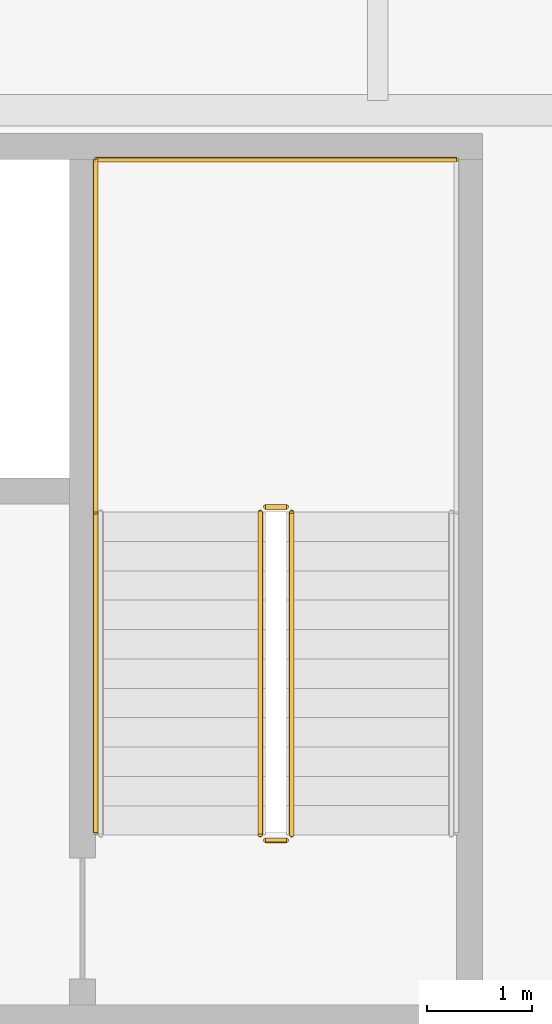
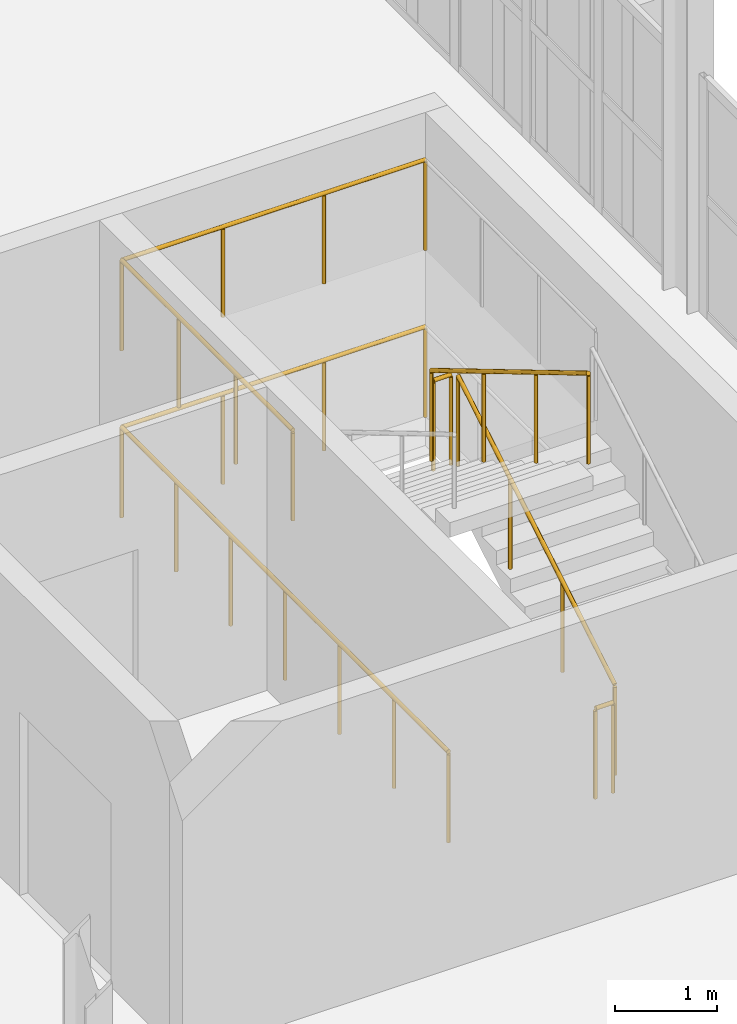
# One storey, part 96 of 102: 8 railings.
"""IFC4 building model written with IfcOpenShell, lengths in metres."""

from ifc_helpers import new_model, si_unit, direction, frame, origin, origin_2d, place, context, subcontext, project, spatial, circle, extrude, material, type_object, element, save


model = new_model("IFC4")

# Units and contexts
model_context = context("Model", 3, precision=1e-05, world=origin(), true_north=direction((0.0, 1.0)))
body_context = subcontext(model_context, "Body", "Model", "MODEL_VIEW")
ifc_project = project(units=[si_unit("LENGTHUNIT", "METRE"), si_unit("AREAUNIT", "SQUARE_METRE"), si_unit("VOLUMEUNIT", "CUBIC_METRE"), si_unit("PLANEANGLEUNIT", "RADIAN"), si_unit("MASSUNIT", "GRAM", prefix="KILO")], contexts=[model_context])

# Site, building, storey
site_placement = place(None, origin())
site = spatial("IfcSite", under=ifc_project, at=site_placement, CompositionType="ELEMENT")
building_placement = place(site_placement, origin())
building = spatial("IfcBuilding", under=site, at=building_placement, Name="Barlavento Convention Centre", CompositionType="ELEMENT")
storey_placement = place(building_placement, frame((0.0, 0.0, 22.800048828125)))
storey = spatial("IfcBuildingStorey", under=building, at=storey_placement, Name="L04", CompositionType="ELEMENT", Elevation=22.800048828125)

# Railings
ifc_material = material(Name="Stainless steel and laminated glass balustrade", Category="steel")
railing_type = type_object("IfcRailingType", Name="ARC-RAL-BAL-1100", PredefinedType="BALUSTRADE", material=ifc_material)
railing_1_placement = place(storey_placement, frame((187.179931640625, 38.090087890625, 0.16650390625)))
element("IfcRailing", 1, at=railing_1_placement, inside=storey, type_object=railing_type, Name="L04 ST06 stair guard 1", PredefinedType="BALUSTRADE", context=body_context, shape_type="SweptSolid", body=[
    extrude(circle(Radius=0.02392578125, at=origin_2d()), frame((0.0, 0.0, 1.076171875), z_axis=(0.0, 0.859260807169, 0.511537745687), x_axis=(-1.0, 0.0, 0.0)), (0.0, 0.0, 1.0), 3.584228515625),
    extrude(circle(Radius=0.02099609375, at=origin_2d()), origin(), (0.0, 0.0, 1.0), 1.052001953125),
    extrude(circle(Radius=0.02099609375, at=origin_2d()), frame((0.0, 1.026611328125, 0.611083984375)), (0.0, 0.0, 1.0), 1.052001953125),
    extrude(circle(Radius=0.02099609375, at=origin_2d()), frame((0.0, 2.05322265625, 1.222412109375)), (0.0, 0.0, 1.0), 1.052001953125),
    extrude(circle(Radius=0.02099609375, at=origin_2d()), frame((0.0, 3.079833984375, 1.83349609375)), (0.0, 0.0, 1.0), 1.052001953125),
])
railing_2_placement = place(storey_placement, frame((187.1298828125, 41.219970703125, 2.0)))
element("IfcRailing", 2, at=railing_2_placement, inside=storey, type_object=railing_type, Name="L04 ST06 stair guard 2", PredefinedType="BALUSTRADE", context=body_context, shape_type="SweptSolid", body=[
    extrude(circle(Radius=0.02392578125, at=origin_2d()), frame((0.0, 0.0, 1.076171875), z_axis=(-1.0, 0.0, 0.0), x_axis=(0.0, -1.0, 0.0)), (0.0, 0.0, 1.0), 0.199951171875),
    extrude(circle(Radius=0.02099609375, at=origin_2d()), origin(), (0.0, 0.0, 1.0), 1.052001953125),
    extrude(circle(Radius=0.02099609375, at=origin_2d()), frame((-0.199951171875, 0.0, 0.0)), (0.0, 0.0, 1.0), 1.052001953125),
])
railing_3_placement = place(storey_placement, frame((186.8798828125, 41.169921875, 2.16650390625)))
element("IfcRailing", 3, at=railing_3_placement, inside=storey, type_object=railing_type, Name="L04 ST06 stair guard 3", PredefinedType="BALUSTRADE", context=body_context, shape_type="SweptSolid", body=[
    extrude(circle(Radius=0.02392578125, at=origin_2d()), frame((0.0, 0.0, 1.076171875), z_axis=(0.0, -0.859260807169, 0.511537745687), x_axis=(1.0, 0.0, 0.0)), (0.0, 0.0, 1.0), 3.584228515625),
    extrude(circle(Radius=0.02099609375, at=origin_2d()), origin(), (0.0, 0.0, 1.0), 1.052001953125),
    extrude(circle(Radius=0.02099609375, at=origin_2d()), frame((0.0, -1.026611328125, 0.611083984375)), (0.0, 0.0, 1.0), 1.052001953125),
    extrude(circle(Radius=0.02099609375, at=origin_2d()), frame((0.0, -2.05322265625, 1.222412109375)), (0.0, 0.0, 1.0), 1.052001953125),
    extrude(circle(Radius=0.02099609375, at=origin_2d()), frame((0.0, -3.079833984375, 1.83349609375)), (0.0, 0.0, 1.0), 1.052001953125),
])
railing_4_placement = place(storey_placement, frame((187.1298828125, 38.0400390625, 0.0)))
element("IfcRailing", 4, at=railing_4_placement, inside=storey, type_object=railing_type, Name="L04 ST06 stair guard 4", PredefinedType="BALUSTRADE", context=body_context, shape_type="SweptSolid", body=[
    extrude(circle(Radius=0.02392578125, at=origin_2d()), frame((0.0, 0.0, 1.076171875), z_axis=(-1.0, 0.0, 0.0), x_axis=(0.0, -1.0, 0.0)), (0.0, 0.0, 1.0), 0.199951171875),
    extrude(circle(Radius=0.02099609375, at=origin_2d()), origin(), (0.0, 0.0, 1.0), 1.052001953125),
    extrude(circle(Radius=0.02099609375, at=origin_2d()), frame((-0.199951171875, 0.0, 0.0)), (0.0, 0.0, 1.0), 1.052001953125),
])
railing_5_placement = place(storey_placement, frame((185.31005859375, 41.169921875, 2.0)))
element("IfcRailing", 5, at=railing_5_placement, inside=storey, type_object=railing_type, Name="L04 landing guard GR01", PredefinedType="BALUSTRADE", context=body_context, shape_type="SweptSolid", body=[
    extrude(circle(Radius=0.02392578125, at=origin_2d()), frame((0.0, 0.0, 1.076171875), z_axis=(0.0, 1.0, 0.0), x_axis=(-1.0, 0.0, 0.0)), (0.0, 0.0, 1.0), 3.360107421875),
    extrude(circle(Radius=0.02099609375, at=origin_2d()), origin(), (0.0, 0.0, 1.0), 1.052001953125),
    extrude(circle(Radius=0.02099609375, at=origin_2d()), frame((0.0, 1.1201171875, 0.0)), (0.0, 0.0, 1.0), 1.052001953125),
    extrude(circle(Radius=0.02099609375, at=origin_2d()), frame((0.0, 2.239990234375, 0.0)), (0.0, 0.0, 1.0), 1.052001953125),
    extrude(circle(Radius=0.02099609375, at=origin_2d()), frame((0.0, 3.360107421875, 0.0)), (0.0, 0.0, 1.0), 1.052001953125),
])
for number, where, name in (
    (6, (188.75, 44.530029296875, 2.0), "L04 landing guard GR01"),
    (7, (188.75, 44.530029296875, 0.0), "L04 stairwell perimeter guard GR01"),
):
    element("IfcRailing", number, at=place(storey_placement, frame(where)), inside=storey, type_object=railing_type, Name=name, PredefinedType="BALUSTRADE", context=body_context, shape_type="SweptSolid", body=[
        extrude(circle(Radius=0.02392578125, at=origin_2d()), frame((0.0, 0.0, 1.076171875), z_axis=(-1.0, 0.0, 0.0), x_axis=(0.0, -1.0, 0.0)), (0.0, 0.0, 1.0), 3.43994140625),
        extrude(circle(Radius=0.02099609375, at=origin_2d()), origin(), (0.0, 0.0, 1.0), 1.052001953125),
        extrude(circle(Radius=0.02099609375, at=origin_2d()), frame((-1.146728515625, 0.0, 0.0)), (0.0, 0.0, 1.0), 1.052001953125),
        extrude(circle(Radius=0.02099609375, at=origin_2d()), frame((-2.293212890625, 0.0, 0.0)), (0.0, 0.0, 1.0), 1.052001953125),
        extrude(circle(Radius=0.02099609375, at=origin_2d()), frame((-3.43994140625, 0.0, 0.0)), (0.0, 0.0, 1.0), 1.052001953125),
    ])
railing_6_placement = place(storey_placement, frame((185.31005859375, 44.530029296875, 0.0)))
element("IfcRailing", 8, at=railing_6_placement, inside=storey, type_object=railing_type, Name="L04 stairwell perimeter guard GR01", PredefinedType="BALUSTRADE", context=body_context, shape_type="SweptSolid", body=[
    extrude(circle(Radius=0.02392578125, at=origin_2d()), frame((0.0, 0.0, 1.076171875), z_axis=(0.0, -1.0, 0.0), x_axis=(1.0, 0.0, 0.0)), (0.0, 0.0, 1.0), 6.4150390625),
    extrude(circle(Radius=0.02099609375, at=origin_2d()), origin(), (0.0, 0.0, 1.0), 1.052001953125),
    extrude(circle(Radius=0.02099609375, at=origin_2d()), frame((0.0, -1.069091796875, 0.0)), (0.0, 0.0, 1.0), 1.052001953125),
    extrude(circle(Radius=0.02099609375, at=origin_2d()), frame((0.0, -2.138427734375, 0.0)), (0.0, 0.0, 1.0), 1.052001953125),
    extrude(circle(Radius=0.02099609375, at=origin_2d()), frame((0.0, -3.20751953125, 0.0)), (0.0, 0.0, 1.0), 1.052001953125),
    extrude(circle(Radius=0.02099609375, at=origin_2d()), frame((0.0, -4.276611328125, 0.0)), (0.0, 0.0, 1.0), 1.052001953125),
    extrude(circle(Radius=0.02099609375, at=origin_2d()), frame((0.0, -5.345947265625, 0.0)), (0.0, 0.0, 1.0), 1.052001953125),
    extrude(circle(Radius=0.02099609375, at=origin_2d()), frame((0.0, -6.4150390625, 0.0)), (0.0, 0.0, 1.0), 1.052001953125),
])

save(model, "model.ifc")
